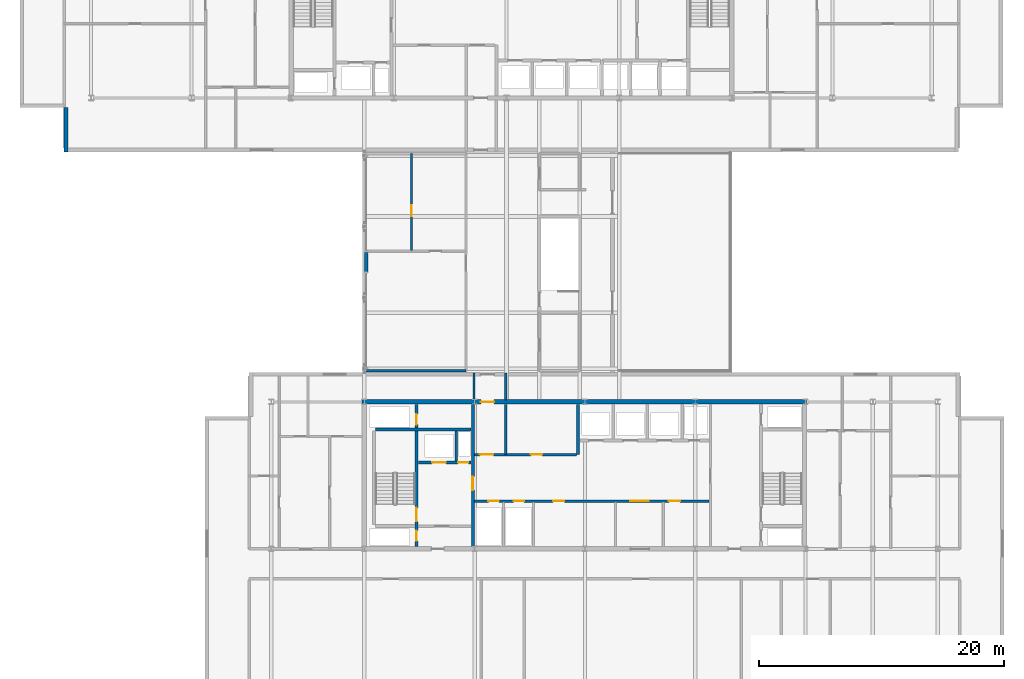
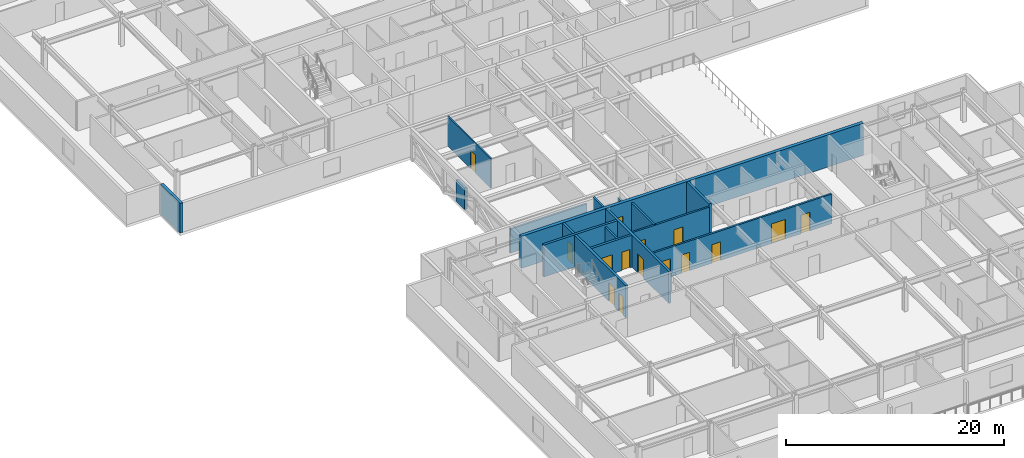
# One storey, part 13 of 28: 16 walls, 15 doors, 15 openings.
"""IFC4 building model written with IfcOpenShell, lengths in metres."""

from ifc_helpers import new_model, si_unit, direction, frame, frame_2d, origin, place, context, subcontext, project, spatial, rectangle, extrude, material, layer, layer_set, type_object, element, fill, save


model = new_model("IFC4")

# Units and contexts
model_context = context("Model", 3, precision=1e-05, world=origin(), true_north=direction((0.0, 1.0)))
body_context = subcontext(model_context, "Body", "Model", "MODEL_VIEW")
ifc_project = project(units=[si_unit("LENGTHUNIT", "METRE"), si_unit("AREAUNIT", "SQUARE_METRE"), si_unit("VOLUMEUNIT", "CUBIC_METRE"), si_unit("PLANEANGLEUNIT", "RADIAN"), si_unit("MASSUNIT", "GRAM", prefix="KILO")], contexts=[model_context])

# Site, building, storey
site_placement = place(None, origin())
site = spatial("IfcSite", under=ifc_project, at=site_placement, CompositionType="ELEMENT")
building_placement = place(site_placement, origin())
building = spatial("IfcBuilding", under=site, at=building_placement, Name="Korimba Cascade Residences", CompositionType="ELEMENT")
storey_placement = place(building_placement, frame((0.0, 0.0, 153.699951171875)))
storey = spatial("IfcBuildingStorey", under=building, at=storey_placement, Name="L44", CompositionType="ELEMENT", Elevation=153.699951171875)

# Walls
ifc_material_1 = material(Name="Precast concrete C40/50", Category="concrete")
ifc_layer_1 = layer(ifc_material_1, 0.300048828125)
ifc_layer_set_1 = layer_set([ifc_layer_1], Name="Precast concrete C40/50")
wall_type_1 = type_object("IfcWallType", Name="EW-STONE-300", PredefinedType="STANDARD", material=ifc_layer_set_1)
wall_1_placement = place(storey_placement, frame((57.75, 54.39990234375, 0.0), z_axis=(0.0, 0.0, 1.0), x_axis=(0.0, -1.0, 0.0)))
element("IfcWall", 1, at=wall_1_placement, inside=storey, type_object=wall_type_1, Name="L44 T1 Perimeter Stone Wall E11", PredefinedType="STANDARD", context=body_context, shape_type="SweptSolid", body=[
    extrude(rectangle(XDim=3.599853515625, YDim=0.300048828125, at=frame_2d((1.7998046875, 0.0))), origin(), (0.0, 0.0, 1.0), 3.320068359375),
])
wall_2_placement = place(storey_placement, frame((82.25, 41.0, 0.0), z_axis=(0.0, 0.0, 1.0), x_axis=(0.0, 1.0, 0.0)))
element("IfcWall", 2, at=wall_2_placement, inside=storey, type_object=wall_type_1, Name="L44 Skybridge Spa Pier", PredefinedType="STANDARD", context=body_context, shape_type="SweptSolid", body=[
    extrude(rectangle(XDim=1.60009765625, YDim=0.300048828125, at=frame_2d((0.800048828125, 0.0))), origin(), (0.0, 0.0, 1.0), 2.39013671875),
])

# Wall, opening, door
ifc_material_2 = material(Name="Concrete C65/80", Category="concrete")
ifc_layer_2 = layer(ifc_material_2, 0.35009765625)
ifc_layer_set_2 = layer_set([ifc_layer_2], Name="Concrete C65/80")
wall_type_2 = type_object("IfcWallType", Name="WAL-CORE-350", PredefinedType="SHEAR", material=ifc_layer_set_2)
wall_3_placement = place(storey_placement, frame((81.925048828125, 30.39990234375, 0.0), z_axis=(0.0, 0.0, 1.0), x_axis=(1.0, 0.0, 0.0)))
wall_3 = element("IfcWall", 3, at=wall_3_placement, inside=storey, type_object=wall_type_2, Name="L44 Core Shear Wall CW-L44-T2-N", PredefinedType="SHEAR", context=body_context, shape_type="SweptSolid", body=[
    extrude(rectangle(XDim=36.264892578125, YDim=0.35009765625, at=frame_2d((18.13232421875, 0.0))), origin(), (0.0, 0.0, 1.0), 3.60009765625),
])
opening_1_placement = place(wall_3_placement, frame((9.675048828125, 0.0, 0.0)))
opening_1 = element("IfcOpeningElement", 4, at=opening_1_placement, cuts=wall_3, Name="Opening D-FD1", PredefinedType="OPENING", context=body_context, shape_type="SweptSolid", body=[
    extrude(rectangle(XDim=1.10009765625, YDim=2.10009765625, at=frame_2d((0.550048828125, 1.050048828125))), frame((0.0, 0.18505859375, 0.0), z_axis=(0.0, -1.0, 0.0), x_axis=(1.0, 0.0, 0.0)), (0.0, 0.0, 1.0), 0.3701171875),
])
ifc_material_3 = material(Name="Fire-Rated Steel Core Door", Category="steel")
door_type_1 = type_object("IfcDoorType", Name="DR-FD120-1100", OperationType="NOTDEFINED", PredefinedType="DOOR", material=ifc_material_3)
door_1_placement = place(opening_1_placement, origin())
door_1 = element("IfcDoor", 5, at=door_1_placement, inside=storey, type_object=door_type_1, Name="L44 Skybridge to T2 Core Fire Door", OperationType="SINGLE_SWING_LEFT", OverallHeight=2.10009765625, OverallWidth=1.10009765625, PredefinedType="DOOR", context=body_context, shape_type="SweptSolid", body=[
    extrude(rectangle(XDim=1.10009765625, YDim=2.10009765625, at=frame_2d((0.550048828125, 1.050048828125))), frame((0.0, 0.02490234375, 0.0), z_axis=(0.0, -1.0, 0.0), x_axis=(1.0, 0.0, 0.0)), (0.0, 0.0, 1.0), 0.050048828125),
])
fill(opening_1, door_1)

ifc_material_4 = material(Name="Insulated Acoustic Stud Partition", Category="gypsum")
ifc_layer_3 = layer(ifc_material_4, 0.14990234375)
ifc_layer_set_3 = layer_set([ifc_layer_3], Name="Insulated Acoustic Stud Partition")
wall_type_3 = type_object("IfcWallType", Name="WAL-PART-150", PredefinedType="PARTITIONING", material=ifc_layer_set_3)
wall_4_placement = place(storey_placement, frame((85.949951171875, 42.75, 0.0), z_axis=(0.0, 0.0, 1.0), x_axis=(0.0, 1.0, 0.0)))
wall_4 = element("IfcWall", 6, at=wall_4_placement, inside=storey, type_object=wall_type_3, Name="L44 Partition Wall WAL-L44-SHWDIV", PredefinedType="PARTITIONING", context=body_context, shape_type="SweptSolid", body=[
    extrude(rectangle(XDim=7.89990234375, YDim=0.14990234375, at=frame_2d((3.949951171875, 0.0))), origin(), (0.0, 0.0, 1.0), 3.320068359375),
])
opening_2_placement = place(wall_4_placement, frame((2.800048828125, 0.0, 0.0)))
opening_2 = element("IfcOpeningElement", 7, at=opening_2_placement, cuts=wall_4, Name="Opening D-IN2", PredefinedType="OPENING", context=body_context, shape_type="SweptSolid", body=[
    extrude(rectangle(XDim=0.8798828125, YDim=2.06005859375, at=frame_2d((0.43994140625, 1.030029296875))), frame((0.0, 0.0849609375, 0.0), z_axis=(0.0, -1.0, 0.0), x_axis=(1.0, 0.0, 0.0)), (0.0, 0.0, 1.0), 0.169921875),
])
ifc_material_5 = material(Name="Acoustic Timber Bedroom Door", Category="wood")
door_type_2 = type_object("IfcDoorType", Name="DR-INT-880", OperationType="NOTDEFINED", PredefinedType="DOOR", material=ifc_material_5)
door_2_placement = place(opening_2_placement, origin())
door_2 = element("IfcDoor", 8, at=door_2_placement, inside=storey, type_object=door_type_2, Name="L44 Shower Room Door", OperationType="SINGLE_SWING_LEFT", OverallHeight=2.06005859375, OverallWidth=0.8798828125, PredefinedType="DOOR", context=body_context, shape_type="SweptSolid", body=[
    extrude(rectangle(XDim=0.8798828125, YDim=2.06005859375, at=frame_2d((0.43994140625, 1.030029296875))), frame((0.0, 0.02490234375, 0.0), z_axis=(0.0, -1.0, 0.0), x_axis=(1.0, 0.0, 0.0)), (0.0, 0.0, 1.0), 0.050048828125),
])
fill(opening_2, door_2)

# Walls
ifc_material_6 = material(Name="Concrete C40/50", Category="concrete")
ifc_layer_4 = layer(ifc_material_6, 0.199951171875)
ifc_layer_set_4 = layer_set([ifc_layer_4], Name="Concrete C40/50")
wall_type_4 = type_object("IfcWallType", Name="WAL-PART-200", PredefinedType="PARTITIONING", material=ifc_layer_set_4)
wall_5_placement = place(storey_placement, frame((89.60009765625, 25.580078125, 0.0), z_axis=(0.0, 0.0, 1.0), x_axis=(0.0, 1.0, 0.0)))
element("IfcWall", 9, at=wall_5_placement, inside=storey, type_object=wall_type_4, Name="L44 Partition Wall CW-L44-T2-FFLDIV", PredefinedType="PARTITIONING", context=body_context, shape_type="SweptSolid", body=[
    extrude(rectangle(XDim=2.419921875, YDim=0.199951171875, at=frame_2d((1.2099609375, 0.0))), origin(), (0.0, 0.0, 1.0), 3.320068359375),
])
wall_6_placement = place(storey_placement, frame((93.64990234375, 26.10009765625, 0.0), z_axis=(0.0, 0.0, 1.0), x_axis=(0.0, 1.0, 0.0)))
element("IfcWall", 10, at=wall_6_placement, inside=storey, type_object=wall_type_4, Name="L44 Partition Wall CW-L44-T2-BRGPD", PredefinedType="PARTITIONING", context=body_context, shape_type="SweptSolid", body=[
    extrude(rectangle(XDim=4.099853515625, YDim=0.199951171875, at=frame_2d((2.0498046875, 0.0))), origin(), (0.0, 0.0, 1.0), 3.320068359375),
])

# Wall, openings, doors
wall_7_placement = place(storey_placement, frame((91.080078125, 26.10009765625, 0.0), z_axis=(0.0, 0.0, 1.0), x_axis=(1.0, 0.0, 0.0)))
wall_7 = element("IfcWall", 11, at=wall_7_placement, inside=storey, type_object=wall_type_4, Name="L44 Partition Wall CW-L44-T2-B1RS", PredefinedType="PARTITIONING", context=body_context, shape_type="SweptSolid", body=[
    extrude(rectangle(XDim=8.33984375, YDim=0.199951171875, at=frame_2d((4.169921875, 0.0))), origin(), (0.0, 0.0, 1.0), 3.320068359375),
])
opening_3_placement = place(wall_7_placement, frame((0.449951171875, 0.0, 0.0)))
opening_3 = element("IfcOpeningElement", 12, at=opening_3_placement, cuts=wall_7, Name="Opening D-FD1", PredefinedType="OPENING", context=body_context, shape_type="SweptSolid", body=[
    extrude(rectangle(XDim=1.10009765625, YDim=2.10009765625, at=frame_2d((0.550048828125, 1.050048828125))), frame((0.0, 0.10986328125, 0.0), z_axis=(0.0, -1.0, 0.0), x_axis=(1.0, 0.0, 0.0)), (0.0, 0.0, 1.0), 0.219970703125),
])
opening_4_placement = place(wall_7_placement, frame((4.60009765625, 0.0, 0.0)))
opening_4 = element("IfcOpeningElement", 13, at=opening_4_placement, cuts=wall_7, Name="Opening D-ST1", PredefinedType="OPENING", context=body_context, shape_type="SweptSolid", body=[
    extrude(rectangle(XDim=0.919921875, YDim=2.080078125, at=frame_2d((0.4599609375, 1.0400390625))), frame((0.0, 0.10986328125, 0.0), z_axis=(0.0, -1.0, 0.0), x_axis=(1.0, 0.0, 0.0)), (0.0, 0.0, 1.0), 0.219970703125),
])
door_3_placement = place(opening_3_placement, origin())
door_3 = element("IfcDoor", 14, at=door_3_placement, inside=storey, type_object=door_type_1, Name="L44 Skybridge Vestibule to T2 Lift Lobby Door", OperationType="SINGLE_SWING_RIGHT", OverallHeight=2.10009765625, OverallWidth=1.10009765625, PredefinedType="DOOR", context=body_context, shape_type="SweptSolid", body=[
    extrude(rectangle(XDim=1.10009765625, YDim=2.10009765625, at=frame_2d((0.550048828125, 1.050048828125))), frame((0.0, 0.02490234375, 0.0), z_axis=(0.0, -1.0, 0.0), x_axis=(1.0, 0.0, 0.0)), (0.0, 0.0, 1.0), 0.050048828125),
])
fill(opening_3, door_3)
ifc_material_7 = material(Name="Fire-Rated Core Store Door", Category="wood")
door_type_3 = type_object("IfcDoorType", Name="DR-FD60-920", OperationType="NOTDEFINED", PredefinedType="DOOR", material=ifc_material_7)
door_4_placement = place(opening_4_placement, origin())
door_4 = element("IfcDoor", 15, at=door_4_placement, inside=storey, type_object=door_type_3, Name="L44 T2 Resident Storage Door", OperationType="SINGLE_SWING_LEFT", OverallHeight=2.080078125, OverallWidth=0.919921875, PredefinedType="DOOR", context=body_context, shape_type="SweptSolid", body=[
    extrude(rectangle(XDim=0.919921875, YDim=2.080078125, at=frame_2d((0.4599609375, 1.0400390625))), frame((0.0, 0.02490234375, 0.0), z_axis=(0.0, -1.0, 0.0), x_axis=(1.0, 0.0, 0.0)), (0.0, 0.0, 1.0), 0.050048828125),
])
fill(opening_4, door_4)

wall_8_placement = place(storey_placement, frame((91.080078125, 22.300048828125, 0.0), z_axis=(0.0, 0.0, 1.0), x_axis=(1.0, 0.0, 0.0)))
wall_8 = element("IfcWall", 16, at=wall_8_placement, inside=storey, type_object=wall_type_4, Name="L44 Partition Wall CW-L44-T2-SRVROW", PredefinedType="PARTITIONING", context=body_context, shape_type="SweptSolid", body=[
    extrude(rectangle(XDim=19.139892578125, YDim=0.199951171875, at=frame_2d((9.56982421875, 0.0))), origin(), (0.0, 0.0, 1.0), 3.320068359375),
])
opening_5_placement = place(wall_8_placement, frame((1.14990234375, 0.0, 0.0)))
opening_5 = element("IfcOpeningElement", 17, at=opening_5_placement, cuts=wall_8, Name="Opening D-RS1", PredefinedType="OPENING", context=body_context, shape_type="SweptSolid", body=[
    extrude(rectangle(XDim=0.85009765625, YDim=2.050048828125, at=frame_2d((0.425048828125, 1.02490234375))), frame((0.0, 0.10986328125, 0.0), z_axis=(0.0, -1.0, 0.0), x_axis=(1.0, 0.0, 0.0)), (0.0, 0.0, 1.0), 0.219970703125),
])
opening_6_placement = place(wall_8_placement, frame((3.199951171875, 0.0, 0.0)))
opening_6 = element("IfcOpeningElement", 18, at=opening_6_placement, cuts=wall_8, Name="Opening D-RS1", PredefinedType="OPENING", context=body_context, shape_type="SweptSolid", body=[
    extrude(rectangle(XDim=0.85009765625, YDim=2.050048828125, at=frame_2d((0.425048828125, 1.02490234375))), frame((0.0, 0.10986328125, 0.0), z_axis=(0.0, -1.0, 0.0), x_axis=(1.0, 0.0, 0.0)), (0.0, 0.0, 1.0), 0.219970703125),
])
opening_7_placement = place(wall_8_placement, frame((12.719970703125, 0.0, 0.0)))
opening_7 = element("IfcOpeningElement", 19, at=opening_7_placement, cuts=wall_8, Name="Opening D-FD8", PredefinedType="OPENING", context=body_context, shape_type="SweptSolid", body=[
    extrude(rectangle(XDim=1.5, YDim=2.199951171875, at=frame_2d((0.75, 1.10009765625))), frame((0.0, 0.10986328125, 0.0), z_axis=(0.0, -1.0, 0.0), x_axis=(1.0, 0.0, 0.0)), (0.0, 0.0, 1.0), 0.219970703125),
])
opening_8_placement = place(wall_8_placement, frame((6.419921875, 0.0, 0.0)))
opening_8 = element("IfcOpeningElement", 20, at=opening_8_placement, cuts=wall_8, Name="Opening D-IN1", PredefinedType="OPENING", context=body_context, shape_type="SweptSolid", body=[
    extrude(rectangle(XDim=0.919921875, YDim=2.080078125, at=frame_2d((0.4599609375, 1.0400390625))), frame((0.0, 0.10986328125, 0.0), z_axis=(0.0, -1.0, 0.0), x_axis=(1.0, 0.0, 0.0)), (0.0, 0.0, 1.0), 0.219970703125),
])
opening_9_placement = place(wall_8_placement, frame((15.8701171875, 0.0, 0.0)))
opening_9 = element("IfcOpeningElement", 21, at=opening_9_placement, cuts=wall_8, Name="Opening D-IN1", PredefinedType="OPENING", context=body_context, shape_type="SweptSolid", body=[
    extrude(rectangle(XDim=0.919921875, YDim=2.080078125, at=frame_2d((0.4599609375, 1.0400390625))), frame((0.0, 0.10986328125, 0.0), z_axis=(0.0, -1.0, 0.0), x_axis=(1.0, 0.0, 0.0)), (0.0, 0.0, 1.0), 0.219970703125),
])
ifc_material_8 = material(Name="Fire-Rated Steel Riser Access Door", Category="steel")
door_type_4 = type_object("IfcDoorType", Name="DR-FD60-850", OperationType="NOTDEFINED", PredefinedType="DOOR", material=ifc_material_8)
door_5_placement = place(opening_5_placement, origin())
door_5 = element("IfcDoor", 22, at=door_5_placement, inside=storey, type_object=door_type_4, Name="L44 T2 Electrical Riser Door", OperationType="SINGLE_SWING_LEFT", OverallHeight=2.050048828125, OverallWidth=0.85009765625, PredefinedType="DOOR", context=body_context, shape_type="SweptSolid", body=[
    extrude(rectangle(XDim=0.85009765625, YDim=2.050048828125, at=frame_2d((0.425048828125, 1.02490234375))), frame((0.0, 0.02490234375, 0.0), z_axis=(0.0, -1.0, 0.0), x_axis=(1.0, 0.0, 0.0)), (0.0, 0.0, 1.0), 0.050048828125),
])
fill(opening_5, door_5)
door_6_placement = place(opening_6_placement, origin())
door_6 = element("IfcDoor", 23, at=door_6_placement, inside=storey, type_object=door_type_4, Name="L44 T2 Plumbing Riser Door", OperationType="SINGLE_SWING_RIGHT", OverallHeight=2.050048828125, OverallWidth=0.85009765625, PredefinedType="DOOR", context=body_context, shape_type="SweptSolid", body=[
    extrude(rectangle(XDim=0.85009765625, YDim=2.050048828125, at=frame_2d((0.425048828125, 1.02490234375))), frame((0.0, 0.02490234375, 0.0), z_axis=(0.0, -1.0, 0.0), x_axis=(1.0, 0.0, 0.0)), (0.0, 0.0, 1.0), 0.050048828125),
])
fill(opening_6, door_6)
ifc_material_9 = material(Name="Fire-Rated Glazed Lift Lobby Double Door", Category="glass")
door_type_5 = type_object("IfcDoorType", Name="DR-FD90-1500", OperationType="NOTDEFINED", PredefinedType="DOOR", material=ifc_material_9)
door_7_placement = place(opening_7_placement, origin())
door_7 = element("IfcDoor", 24, at=door_7_placement, inside=storey, type_object=door_type_5, Name="L44 T2 Lift Lobby Foyer Door", OperationType="DOUBLE_DOOR_SINGLE_SWING", OverallHeight=2.199951171875, OverallWidth=1.5, PredefinedType="DOOR", context=body_context, shape_type="SweptSolid", body=[
    extrude(rectangle(XDim=1.5, YDim=2.199951171875, at=frame_2d((0.75, 1.10009765625))), frame((0.0, 0.02490234375, 0.0), z_axis=(0.0, -1.0, 0.0), x_axis=(1.0, 0.0, 0.0)), (0.0, 0.0, 1.0), 0.050048828125),
])
fill(opening_7, door_7)
ifc_material_10 = material(Name="Acoustic Timber Living Door", Category="wood")
door_type_6 = type_object("IfcDoorType", Name="DR-INT-920", OperationType="NOTDEFINED", PredefinedType="DOOR", material=ifc_material_10)
door_8_placement = place(opening_8_placement, origin())
door_8 = element("IfcDoor", 25, at=door_8_placement, inside=storey, type_object=door_type_6, Name="L44 T2 Housekeeping Door", OperationType="SINGLE_SWING_LEFT", OverallHeight=2.080078125, OverallWidth=0.919921875, PredefinedType="DOOR", context=body_context, shape_type="SweptSolid", body=[
    extrude(rectangle(XDim=0.919921875, YDim=2.080078125, at=frame_2d((0.4599609375, 1.0400390625))), frame((0.0, 0.02490234375, 0.0), z_axis=(0.0, -1.0, 0.0), x_axis=(1.0, 0.0, 0.0)), (0.0, 0.0, 1.0), 0.050048828125),
])
fill(opening_8, door_8)
door_9_placement = place(opening_9_placement, origin())
door_9 = element("IfcDoor", 26, at=door_9_placement, inside=storey, type_object=door_type_6, Name="L44 T2 Store Door", OperationType="SINGLE_SWING_RIGHT", OverallHeight=2.080078125, OverallWidth=0.919921875, PredefinedType="DOOR", context=body_context, shape_type="SweptSolid", body=[
    extrude(rectangle(XDim=0.919921875, YDim=2.080078125, at=frame_2d((0.4599609375, 1.0400390625))), frame((0.0, 0.02490234375, 0.0), z_axis=(0.0, -1.0, 0.0), x_axis=(1.0, 0.0, 0.0)), (0.0, 0.0, 1.0), 0.050048828125),
])
fill(opening_9, door_9)

# Walls
wall_9_placement = place(storey_placement, frame((91.050048828125, 30.550048828125, 0.0), z_axis=(0.0, 0.0, 1.0), x_axis=(0.0, 1.0, 0.0)))
element("IfcWall", 27, at=wall_9_placement, inside=storey, type_object=wall_type_4, Name="L44 Partition Wall WAL-L44-T2-NBRGW", PredefinedType="PARTITIONING", context=body_context, shape_type="SweptSolid", body=[
    extrude(rectangle(XDim=2.199951171875, YDim=0.199951171875, at=frame_2d((1.10009765625, 0.0))), origin(), (0.0, 0.0, 1.0), 3.320068359375),
])
wall_10_placement = place(storey_placement, frame((93.64990234375, 30.550048828125, 0.0), z_axis=(0.0, 0.0, 1.0), x_axis=(0.0, 1.0, 0.0)))
element("IfcWall", 28, at=wall_10_placement, inside=storey, type_object=wall_type_4, Name="L44 Partition Wall WAL-L44-T2-NBRGE", PredefinedType="PARTITIONING", context=body_context, shape_type="SweptSolid", body=[
    extrude(rectangle(XDim=2.199951171875, YDim=0.199951171875, at=frame_2d((1.10009765625, 0.0))), origin(), (0.0, 0.0, 1.0), 2.3935546875),
])
wall_11_placement = place(storey_placement, frame((82.25, 32.949951171875, 0.0), z_axis=(0.0, 0.0, 1.0), x_axis=(1.0, 0.0, 0.0)))
element("IfcWall", 29, at=wall_11_placement, inside=storey, type_object=wall_type_4, Name="L44 Partition Wall WAL-L44-SPAS", PredefinedType="PARTITIONING", context=body_context, shape_type="SweptSolid", body=[
    extrude(rectangle(XDim=8.14990234375, YDim=0.199951171875, at=frame_2d((4.074951171875, 0.0))), origin(), (0.0, 0.0, 1.0), 2.699951171875),
])

# Wall, openings, doors
ifc_material_11 = material(Name="Concrete C50/60", Category="concrete")
ifc_layer_5 = layer(ifc_material_11, 0.25)
ifc_layer_set_5 = layer_set([ifc_layer_5], Name="Concrete C50/60")
wall_type_5 = type_object("IfcWallType", Name="WAL-SHAFT-250", PredefinedType="SHEAR", material=ifc_layer_set_5)
wall_12_placement = place(storey_placement, frame((86.364990234375, 18.60009765625, 0.0), z_axis=(0.0, 0.0, 1.0), x_axis=(0.0, 1.0, 0.0)))
wall_12 = element("IfcWall", 30, at=wall_12_placement, inside=storey, type_object=wall_type_5, Name="L44 Core Shear Wall CW-L44-T2-STE1E", PredefinedType="SHEAR", context=body_context, shape_type="SweptSolid", body=[
    extrude(rectangle(XDim=11.599853515625, YDim=0.25, at=frame_2d((5.7998046875, 0.0))), origin(), (0.0, 0.0, 1.0), 3.60009765625),
])
opening_10_placement = place(wall_12_placement, frame((0.449951171875, 0.0, 0.0)))
opening_10 = element("IfcOpeningElement", 31, at=opening_10_placement, cuts=wall_12, Name="Opening D-RS1", PredefinedType="OPENING", context=body_context, shape_type="SweptSolid", body=[
    extrude(rectangle(XDim=0.85009765625, YDim=2.050048828125, at=frame_2d((0.425048828125, 1.02490234375))), frame((0.0, 0.135009765625, 0.0), z_axis=(0.0, -1.0, 0.0), x_axis=(1.0, 0.0, 0.0)), (0.0, 0.0, 1.0), 0.27001953125),
])
opening_11_placement = place(wall_12_placement, frame((2.050048828125, 0.0, 0.0)))
opening_11 = element("IfcOpeningElement", 32, at=opening_11_placement, cuts=wall_12, Name="Opening D-FD1", PredefinedType="OPENING", context=body_context, shape_type="SweptSolid", body=[
    extrude(rectangle(XDim=1.10009765625, YDim=2.10009765625, at=frame_2d((0.550048828125, 1.050048828125))), frame((0.0, 0.135009765625, 0.0), z_axis=(0.0, -1.0, 0.0), x_axis=(1.0, 0.0, 0.0)), (0.0, 0.0, 1.0), 0.27001953125),
])
opening_12_placement = place(wall_12_placement, frame((9.949951171875, 0.0, 0.0)))
opening_12 = element("IfcOpeningElement", 33, at=opening_12_placement, cuts=wall_12, Name="Opening D-RS1", PredefinedType="OPENING", context=body_context, shape_type="SweptSolid", body=[
    extrude(rectangle(XDim=0.85009765625, YDim=2.050048828125, at=frame_2d((0.425048828125, 1.02490234375))), frame((0.0, 0.135009765625, 0.0), z_axis=(0.0, -1.0, 0.0), x_axis=(1.0, 0.0, 0.0)), (0.0, 0.0, 1.0), 0.27001953125),
])
door_10_placement = place(opening_11_placement, origin())
door_10 = element("IfcDoor", 34, at=door_10_placement, inside=storey, type_object=door_type_1, Name="L44 Fire Stair ST-E1 Door", OperationType="SINGLE_SWING_LEFT", OverallHeight=2.10009765625, OverallWidth=1.10009765625, PredefinedType="DOOR", context=body_context, shape_type="SweptSolid", body=[
    extrude(rectangle(XDim=1.10009765625, YDim=2.10009765625, at=frame_2d((0.550048828125, 1.050048828125))), frame((0.0, 0.02490234375, 0.0), z_axis=(0.0, -1.0, 0.0), x_axis=(1.0, 0.0, 0.0)), (0.0, 0.0, 1.0), 0.050048828125),
])
fill(opening_11, door_10)
door_11_placement = place(opening_10_placement, origin())
door_11 = element("IfcDoor", 35, at=door_11_placement, inside=storey, type_object=door_type_4, Name="L44 T2 Hydrant Riser Door", OperationType="SINGLE_SWING_RIGHT", OverallHeight=2.050048828125, OverallWidth=0.85009765625, PredefinedType="DOOR", context=body_context, shape_type="SweptSolid", body=[
    extrude(rectangle(XDim=0.85009765625, YDim=2.050048828125, at=frame_2d((0.425048828125, 1.02490234375))), frame((0.0, 0.02490234375, 0.0), z_axis=(0.0, -1.0, 0.0), x_axis=(1.0, 0.0, 0.0)), (0.0, 0.0, 1.0), 0.050048828125),
])
fill(opening_10, door_11)
door_12_placement = place(opening_12_placement, origin())
door_12 = element("IfcDoor", 36, at=door_12_placement, inside=storey, type_object=door_type_4, Name="L44 T2 Smoke Shaft Door", OperationType="SINGLE_SWING_RIGHT", OverallHeight=2.050048828125, OverallWidth=0.85009765625, PredefinedType="DOOR", context=body_context, shape_type="SweptSolid", body=[
    extrude(rectangle(XDim=0.85009765625, YDim=2.050048828125, at=frame_2d((0.425048828125, 1.02490234375))), frame((0.0, 0.02490234375, 0.0), z_axis=(0.0, -1.0, 0.0), x_axis=(1.0, 0.0, 0.0)), (0.0, 0.0, 1.0), 0.050048828125),
])
fill(opening_12, door_12)

# Wall
wall_13_placement = place(storey_placement, frame((83.0, 28.125, 0.0), z_axis=(0.0, 0.0, 1.0), x_axis=(1.0, 0.0, 0.0)))
element("IfcWall", 37, at=wall_13_placement, inside=storey, type_object=wall_type_5, Name="L44 Core Shear Wall CW-L44-T2-STE1N", PredefinedType="SHEAR", context=body_context, shape_type="SweptSolid", body=[
    extrude(rectangle(XDim=7.820068359375, YDim=0.25, at=frame_2d((3.91015625, 0.0))), origin(), (0.0, 0.0, 1.0), 3.60009765625),
])

# Wall, openings, doors
wall_14_placement = place(storey_placement, frame((86.5, 25.449951171875, 0.0), z_axis=(0.0, 0.0, 1.0), x_axis=(1.0, 0.0, 0.0)))
wall_14 = element("IfcWall", 38, at=wall_14_placement, inside=storey, type_object=wall_type_5, Name="L44 Core Shear Wall CW-L44-T2-FFLN", PredefinedType="SHEAR", context=body_context, shape_type="SweptSolid", body=[
    extrude(rectangle(XDim=4.320068359375, YDim=0.25, at=frame_2d((2.16015625, 0.0))), origin(), (0.0, 0.0, 1.0), 3.60009765625),
])
opening_13_placement = place(wall_14_placement, frame((1.139892578125, 0.0, 0.0)))
opening_13 = element("IfcOpeningElement", 39, at=opening_13_placement, cuts=wall_14, Name="Opening LD-01", PredefinedType="OPENING", context=body_context, shape_type="SweptSolid", body=[
    extrude(rectangle(XDim=1.1201171875, YDim=2.1201171875, at=frame_2d((0.56005859375, 1.06005859375))), frame((0.0, 0.135009765625, 0.0), z_axis=(0.0, -1.0, 0.0), x_axis=(1.0, 0.0, 0.0)), (0.0, 0.0, 1.0), 0.27001953125),
])
opening_14_placement = place(wall_14_placement, frame((3.25, 0.0, 0.0)))
opening_14 = element("IfcOpeningElement", 40, at=opening_14_placement, cuts=wall_14, Name="Opening D-RS1", PredefinedType="OPENING", context=body_context, shape_type="SweptSolid", body=[
    extrude(rectangle(XDim=0.85009765625, YDim=2.050048828125, at=frame_2d((0.425048828125, 1.02490234375))), frame((0.0, 0.135009765625, 0.0), z_axis=(0.0, -1.0, 0.0), x_axis=(1.0, 0.0, 0.0)), (0.0, 0.0, 1.0), 0.27001953125),
])
door_13_placement = place(opening_14_placement, origin())
door_13 = element("IfcDoor", 41, at=door_13_placement, inside=storey, type_object=door_type_4, Name="L44 T2 Pressurisation Riser Door", OperationType="SINGLE_SWING_LEFT", OverallHeight=2.050048828125, OverallWidth=0.85009765625, PredefinedType="DOOR", context=body_context, shape_type="SweptSolid", body=[
    extrude(rectangle(XDim=0.85009765625, YDim=2.050048828125, at=frame_2d((0.425048828125, 1.02490234375))), frame((0.0, 0.02490234375, 0.0), z_axis=(0.0, -1.0, 0.0), x_axis=(1.0, 0.0, 0.0)), (0.0, 0.0, 1.0), 0.050048828125),
])
fill(opening_14, door_13)
ifc_material_12 = material(Name="Stainless Steel Lift Landing Sliding Door", Category="steel")
door_type_7 = type_object("IfcDoorType", Name="DR-LIFT-1100", OperationType="NOTDEFINED", PredefinedType="DOOR", material=ifc_material_12)
door_14_placement = place(opening_13_placement, origin())
door_14 = element("IfcDoor", 42, at=door_14_placement, inside=storey, type_object=door_type_7, Name="L44 Firefighting Lift Landing Door FFL-E1", OperationType="SLIDING_TO_RIGHT", OverallHeight=2.1201171875, OverallWidth=1.1201171875, PredefinedType="DOOR", context=body_context, shape_type="SweptSolid", body=[
    extrude(rectangle(XDim=1.1201171875, YDim=2.1201171875, at=frame_2d((0.56005859375, 1.06005859375))), frame((0.0, 0.02490234375, 0.0), z_axis=(0.0, -1.0, 0.0), x_axis=(1.0, 0.0, 0.0)), (0.0, 0.0, 1.0), 0.050048828125),
])
fill(opening_13, door_14)

# Wall, opening, door
wall_15_placement = place(storey_placement, frame((90.949951171875, 18.60009765625, 0.0), z_axis=(0.0, 0.0, 1.0), x_axis=(0.0, 1.0, 0.0)))
wall_15 = element("IfcWall", 43, at=wall_15_placement, inside=storey, type_object=wall_type_5, Name="L44 Core Shear Wall CW-L44-T2-FFLE", PredefinedType="SHEAR", context=body_context, shape_type="SweptSolid", body=[
    extrude(rectangle(XDim=11.599853515625, YDim=0.25, at=frame_2d((5.7998046875, 0.0))), origin(), (0.0, 0.0, 1.0), 3.60009765625),
])
opening_15_placement = place(wall_15_placement, frame((4.60009765625, 0.0, 0.0)))
opening_15 = element("IfcOpeningElement", 44, at=opening_15_placement, cuts=wall_15, Name="Opening D-FD1", PredefinedType="OPENING", context=body_context, shape_type="SweptSolid", body=[
    extrude(rectangle(XDim=1.10009765625, YDim=2.10009765625, at=frame_2d((0.550048828125, 1.050048828125))), frame((0.0, 0.135009765625, 0.0), z_axis=(0.0, -1.0, 0.0), x_axis=(1.0, 0.0, 0.0)), (0.0, 0.0, 1.0), 0.27001953125),
])
door_15_placement = place(opening_15_placement, origin())
door_15 = element("IfcDoor", 45, at=door_15_placement, inside=storey, type_object=door_type_1, Name="L44 T2 Firefighting Lobby to Lift Lobby Door", OperationType="SINGLE_SWING_LEFT", OverallHeight=2.10009765625, OverallWidth=1.10009765625, PredefinedType="DOOR", context=body_context, shape_type="SweptSolid", body=[
    extrude(rectangle(XDim=1.10009765625, YDim=2.10009765625, at=frame_2d((0.550048828125, 1.050048828125))), frame((0.0, 0.02490234375, 0.0), z_axis=(0.0, -1.0, 0.0), x_axis=(1.0, 0.0, 0.0)), (0.0, 0.0, 1.0), 0.050048828125),
])
fill(opening_15, door_15)

# Wall
wall_16_placement = place(storey_placement, frame((99.550048828125, 26.10009765625, 0.0), z_axis=(0.0, 0.0, 1.0), x_axis=(0.0, 1.0, 0.0)))
element("IfcWall", 46, at=wall_16_placement, inside=storey, type_object=wall_type_5, Name="L44 Core Shear Wall CW-L44-T2-B12DIV", PredefinedType="SHEAR", context=body_context, shape_type="SweptSolid", body=[
    extrude(rectangle(XDim=4.099853515625, YDim=0.25, at=frame_2d((2.0498046875, 0.0))), origin(), (0.0, 0.0, 1.0), 3.60009765625),
])

save(model, "model.ifc")
